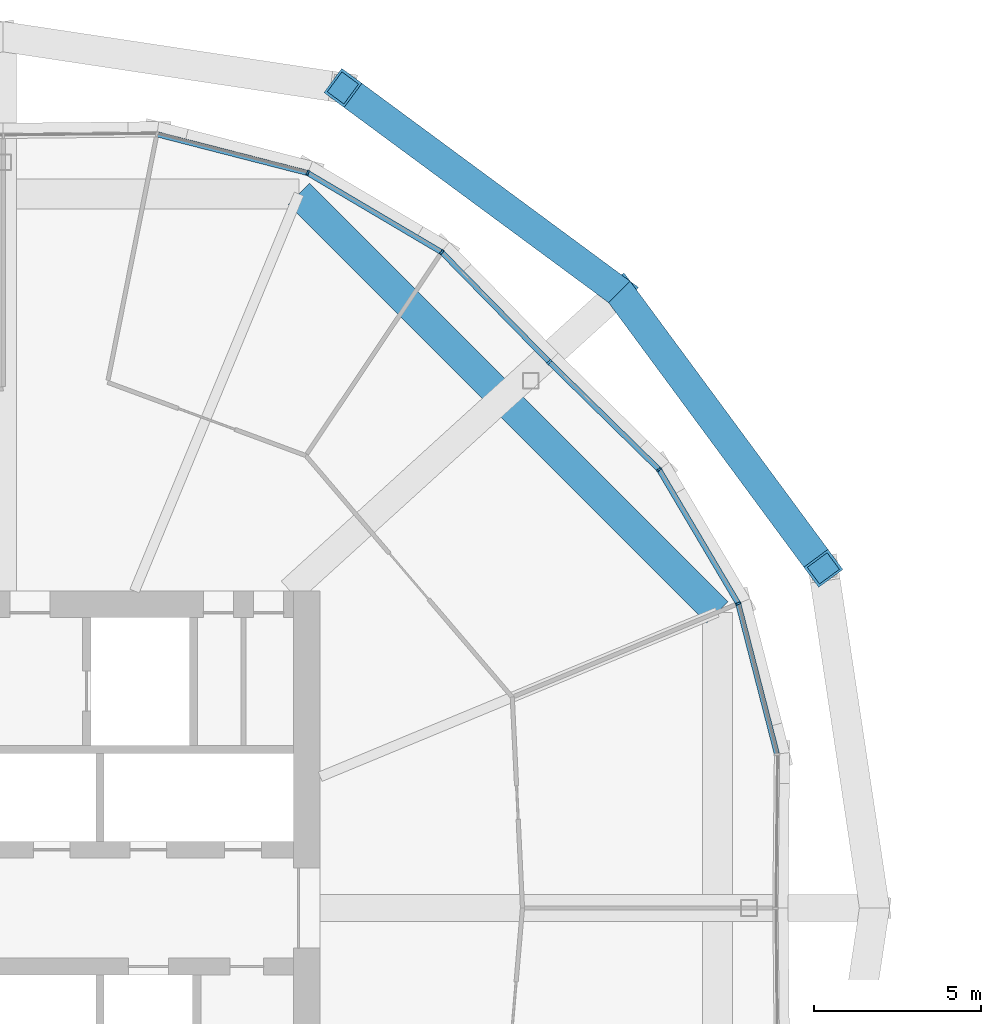
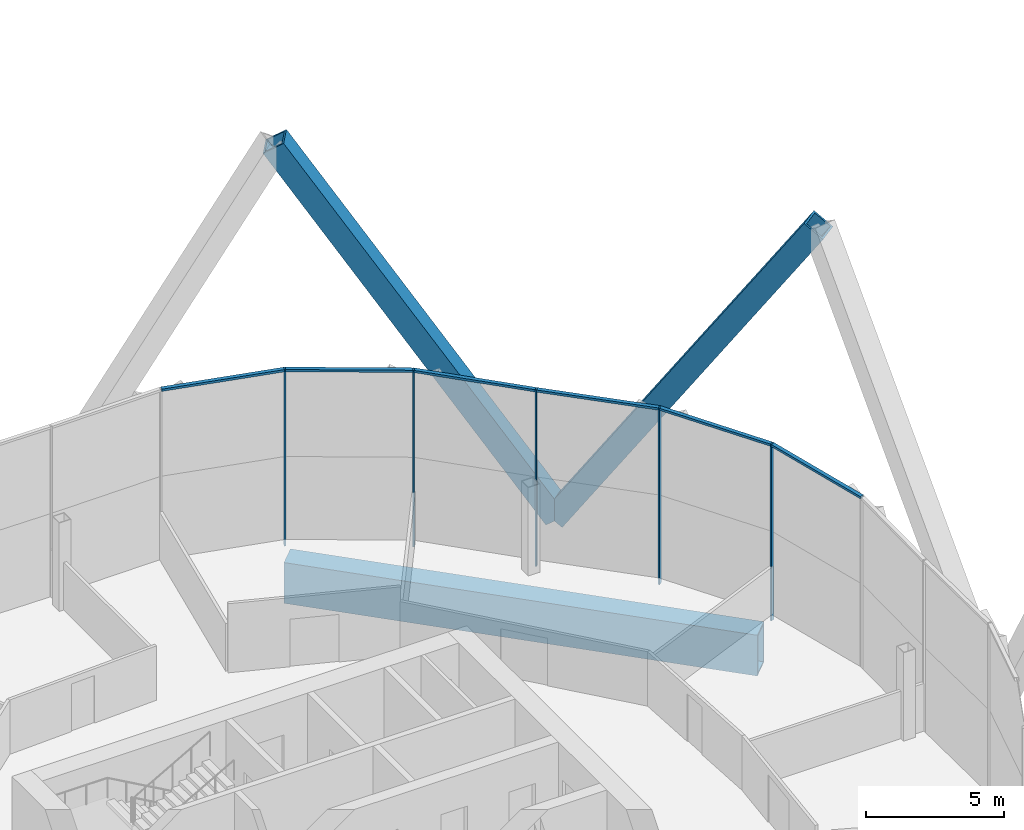
# One storey, part 10 of 28: 13 members, 1 beam, 2 elements without a shape of their own.
"""IFC4 building model written with IfcOpenShell, lengths in metres."""

from ifc_helpers import new_model, si_unit, direction, frame, origin, origin_2d, place, context, subcontext, project, spatial, rectangle, hollow_rectangle, extrude, material, material_profile, profile_set, type_object, element, aggregate, save


model = new_model("IFC4")

# Units and contexts
model_context = context("Model", 3, precision=1e-05, world=origin(), true_north=direction((0.0, 1.0)))
body_context = subcontext(model_context, "Body", "Model", "MODEL_VIEW")
ifc_project = project(units=[si_unit("LENGTHUNIT", "METRE"), si_unit("AREAUNIT", "SQUARE_METRE"), si_unit("VOLUMEUNIT", "CUBIC_METRE"), si_unit("PLANEANGLEUNIT", "RADIAN"), si_unit("MASSUNIT", "GRAM", prefix="KILO")], contexts=[model_context])

# Site, building, storey
site_placement = place(None, origin())
site = spatial("IfcSite", under=ifc_project, at=site_placement, CompositionType="ELEMENT")
building_placement = place(site_placement, origin())
building = spatial("IfcBuilding", under=site, at=building_placement, Name="Ogive Gate Towers", CompositionType="ELEMENT")
storey_placement = place(building_placement, frame((0.0, 0.0, 115.199951171875)))
storey = spatial("IfcBuildingStorey", under=building, at=storey_placement, Name="L27", CompositionType="ELEMENT", Elevation=115.199951171875)

# Members
ifc_material_1 = material(Name="Steel SM460", Category="steel")
ifc_material_profile_1 = material_profile(ifc_material_1, hollow_rectangle(XDim=0.89990234375, YDim=0.89990234375, WallThickness=0.080078125, at=origin_2d()), Name="BX 900x900x80")
ifc_profile_set_1 = profile_set([ifc_material_profile_1], Name="Steel SM460")
member_type_1 = type_object("IfcMemberType", Name="Diagrid diagonal BX 900x900x80", PredefinedType="BRACE", material=ifc_profile_set_1)
for number, where, z_axis, x_axis, name in (
    (1, (-17.537353515625, 18.462646484375, 0.0), (0.327039025082, -0.443175302272, 0.83465030254), (0.804631811944, 0.593774070845, 0.0), "T1/L27/SDG003"),
    (2, (-17.537353515625, 18.462646484375, 0.0), (-0.443175302272, 0.327039025082, 0.83465030254), (-0.593774070845, -0.804631811944, 0.0), "T1/L27/SDG004"),
):
    element("IfcMember", number, at=place(storey_placement, frame(where, z_axis=z_axis, x_axis=x_axis)), inside=storey, type_object=member_type_1, Name=name, PredefinedType="BRACE", context=body_context, shape_type="SweptSolid", body=[
        extrude(hollow_rectangle(XDim=0.89990234375, YDim=0.89990234375, WallThickness=0.080078125, at=origin_2d()), origin(), (0.0, 0.0, 1.0), 18.690673828125),
    ])

# Beam
ifc_material_profile_2 = material_profile(ifc_material_1, hollow_rectangle(XDim=0.89990234375, YDim=1.800048828125, WallThickness=0.080078125, at=origin_2d()), Name="BX 1800x900x80")
ifc_profile_set_2 = profile_set([ifc_material_profile_2], Name="Steel SM460")
beam_type = type_object("IfcBeamType", Name="Edge girder BX 1800x900x80", PredefinedType="BEAM", material=ifc_profile_set_2)
beam_placement = place(storey_placement, frame((-14.60302734375, 8.863037109375, -1.199951171875), z_axis=(-0.707106781187, 0.707106781187, 0.0), x_axis=(-0.707106781187, -0.707106781187, 0.0)))
element("IfcBeam", 3, at=beam_placement, inside=storey, type_object=beam_type, Name="T1/L27/SBM021", PredefinedType="BEAM", context=body_context, shape_type="SweptSolid", body=[
    extrude(hollow_rectangle(XDim=0.89990234375, YDim=1.800048828125, WallThickness=0.080078125, at=origin_2d()), origin(), (0.0, 0.0, 1.0), 17.7255859375),
])

# Curtain wall, members
ifc_material_2 = material(Name="Pale metal aluminium", Category="aluminium")
curtain_wall_type = type_object("IfcCurtainWallType", Name="Tower unitised wall, low zone", PredefinedType="NOTDEFINED", material=ifc_material_2)
curtain_wall_1_placement = place(storey_placement, origin())
curtain_wall_1 = element("IfcCurtainWall", 4, at=curtain_wall_1_placement, inside=storey, type_object=curtain_wall_type, Name="CW1 T1 ECW01", PredefinedType="NOTDEFINED")
ifc_material_profile_3 = material_profile(ifc_material_2, rectangle(XDim=0.159912109375, YDim=0.06005859375, at=origin_2d()), Name="60 x 160 aluminium box")
ifc_profile_set_3 = profile_set([ifc_material_profile_3], Name="Pale metal aluminium")
member_type_2 = type_object("IfcMemberType", Name="Tower unitised wall, low zone mullion 60 x 160", PredefinedType="MULLION", material=ifc_profile_set_3)
member_1_placement = place(storey_placement, frame((-13.973876953125, 9.12353515625, -0.300048828125), z_axis=(0.0, 0.0, 1.0), x_axis=(0.923879532511, 0.382683432365, 0.0)))
member_1 = element("IfcMember", 5, at=member_1_placement, type_object=member_type_2, Name="CW1 mullion", PredefinedType="MULLION", context=body_context, shape_type="SweptSolid", body=[
    extrude(rectangle(XDim=0.159912109375, YDim=0.06005859375, at=origin_2d()), origin(), (0.0, 0.0, 1.0), 7.800048828125),
])
member_2_placement = place(storey_placement, frame((-16.346923828125, 13.13916015625, -0.300048828125), z_axis=(0.0, 0.0, 1.0), x_axis=(0.787085768775, 0.616843572223, 0.0)))
member_2 = element("IfcMember", 6, at=member_2_placement, type_object=member_type_2, Name="CW1 mullion", PredefinedType="MULLION", context=body_context, shape_type="SweptSolid", body=[
    extrude(rectangle(XDim=0.159912109375, YDim=0.06005859375, at=origin_2d()), origin(), (0.0, 0.0, 1.0), 7.800048828125),
])
member_3_placement = place(storey_placement, frame((-19.637451171875, 16.3623046875, -0.300048828125), z_axis=(0.0, 0.0, 1.0), x_axis=(0.699788028863, 0.714350554462, 0.0)))
member_3 = element("IfcMember", 7, at=member_3_placement, type_object=member_type_2, Name="CW1 mullion", PredefinedType="MULLION", context=body_context, shape_type="SweptSolid", body=[
    extrude(rectangle(XDim=0.159912109375, YDim=0.06005859375, at=origin_2d()), origin(), (0.0, 0.0, 1.0), 7.800048828125),
])

curtain_wall_2_placement = place(storey_placement, origin())
curtain_wall_2 = element("IfcCurtainWall", 8, at=curtain_wall_2_placement, inside=storey, type_object=curtain_wall_type, Name="CW1 T1 ECW02", PredefinedType="NOTDEFINED")
member_4_placement = place(storey_placement, frame((-22.86083984375, 19.653076171875, -0.300048828125), z_axis=(0.0, 0.0, 1.0), x_axis=(0.616843572223, 0.787085768775, 0.0)))
member_4 = element("IfcMember", 9, at=member_4_placement, type_object=member_type_2, Name="CW1 mullion", PredefinedType="MULLION", context=body_context, shape_type="SweptSolid", body=[
    extrude(rectangle(XDim=0.159912109375, YDim=0.06005859375, at=origin_2d()), origin(), (0.0, 0.0, 1.0), 7.800048828125),
])
member_5_placement = place(storey_placement, frame((-26.87646484375, 22.026123046875, -0.300048828125), z_axis=(0.0, 0.0, 1.0), x_axis=(0.382683432365, 0.923879532511, 0.0)))
member_5 = element("IfcMember", 10, at=member_5_placement, type_object=member_type_2, Name="CW1 mullion", PredefinedType="MULLION", context=body_context, shape_type="SweptSolid", body=[
    extrude(rectangle(XDim=0.159912109375, YDim=0.06005859375, at=origin_2d()), origin(), (0.0, 0.0, 1.0), 7.800048828125),
])

# Member
ifc_material_profile_4 = material_profile(ifc_material_2, rectangle(XDim=0.159912109375, YDim=0.10009765625, at=origin_2d()), Name="100 x 160 aluminium box")
ifc_profile_set_4 = profile_set([ifc_material_profile_4], Name="Pale metal aluminium")
member_type_3 = type_object("IfcMemberType", Name="Tower unitised wall, low zone transom 100 x 160", PredefinedType="USERDEFINED", material=ifc_profile_set_4)
member_6_placement = place(storey_placement, frame((-12.8193359375, 4.632568359375, 7.449951171875), z_axis=(-0.249022588577, 0.968497677012, 0.0), x_axis=(-0.968497677012, -0.249022588577, 0.0)))
member_6 = element("IfcMember", 11, at=member_6_placement, type_object=member_type_3, Name="CW1 transom", ObjectType="TRANSOM", PredefinedType="USERDEFINED", context=body_context, shape_type="SweptSolid", body=[
    extrude(rectangle(XDim=0.159912109375, YDim=0.10009765625, at=origin_2d()), origin(), (0.0, 0.0, 1.0), 4.60986328125),
])

member_7_placement = place(storey_placement, frame((-13.98779296875, 9.14697265625, 7.449951171875), z_axis=(-0.508798898164, 0.860885405398, 0.0), x_axis=(-0.860885405398, -0.508798898164, 0.0)))
member_7 = element("IfcMember", 12, at=member_7_placement, type_object=member_type_3, Name="CW1 transom", ObjectType="TRANSOM", PredefinedType="USERDEFINED", context=body_context, shape_type="SweptSolid", body=[
    extrude(rectangle(XDim=0.159912109375, YDim=0.10009765625, at=origin_2d()), origin(), (0.0, 0.0, 1.0), 4.60986328125),
])

member_8_placement = place(storey_placement, frame((-16.36669921875, 13.158203125, 7.449951171875), z_axis=(-0.714342153972, 0.699796604064, 0.0), x_axis=(-0.699796604064, -0.714342153972, 0.0)))
member_8 = element("IfcMember", 13, at=member_8_placement, type_object=member_type_3, Name="CW1 transom", ObjectType="TRANSOM", PredefinedType="USERDEFINED", context=body_context, shape_type="SweptSolid", body=[
    extrude(rectangle(XDim=0.159912109375, YDim=0.10009765625, at=origin_2d()), origin(), (0.0, 0.0, 1.0), 4.548583984375),
])

aggregate(curtain_wall_1, [member_1, member_6, member_2, member_7, member_3, member_8])

member_9_placement = place(storey_placement, frame((-19.65869140625, 16.384033203125, 7.449951171875), z_axis=(-0.699796604064, 0.714342153972, 0.0), x_axis=(-0.714342153972, -0.699796604064, 0.0)))
member_9 = element("IfcMember", 14, at=member_9_placement, type_object=member_type_3, Name="CW1 transom", ObjectType="TRANSOM", PredefinedType="USERDEFINED", context=body_context, shape_type="SweptSolid", body=[
    extrude(rectangle(XDim=0.159912109375, YDim=0.10009765625, at=origin_2d()), origin(), (0.0, 0.0, 1.0), 4.548583984375),
])

member_10_placement = place(storey_placement, frame((-22.884521484375, 19.666748046875, 7.449951171875), z_axis=(-0.860885405398, 0.508798898164, 0.0), x_axis=(-0.508798898164, -0.860885405398, 0.0)))
member_10 = element("IfcMember", 15, at=member_10_placement, type_object=member_type_3, Name="CW1 transom", ObjectType="TRANSOM", PredefinedType="USERDEFINED", context=body_context, shape_type="SweptSolid", body=[
    extrude(rectangle(XDim=0.159912109375, YDim=0.10009765625, at=origin_2d()), origin(), (0.0, 0.0, 1.0), 4.60986328125),
])

member_11_placement = place(storey_placement, frame((-26.90283203125, 22.03271484375, 7.449951171875), z_axis=(-0.968497677012, 0.249022588577, 0.0), x_axis=(-0.249022588577, -0.968497677012, 0.0)))
member_11 = element("IfcMember", 16, at=member_11_placement, type_object=member_type_3, Name="CW1 transom", ObjectType="TRANSOM", PredefinedType="USERDEFINED", context=body_context, shape_type="SweptSolid", body=[
    extrude(rectangle(XDim=0.159912109375, YDim=0.10009765625, at=origin_2d()), origin(), (0.0, 0.0, 1.0), 4.60986328125),
])

aggregate(curtain_wall_2, [member_4, member_9, member_5, member_10, member_11])

save(model, "model.ifc")
